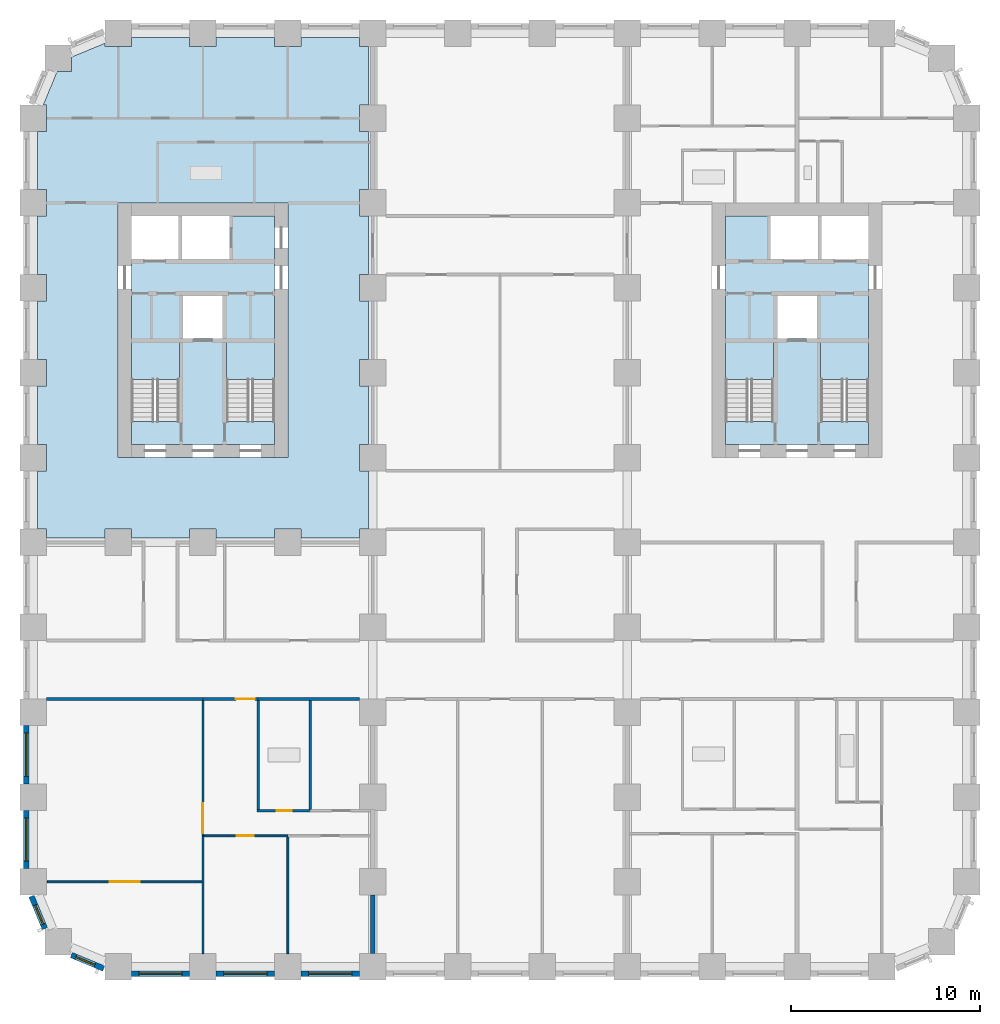
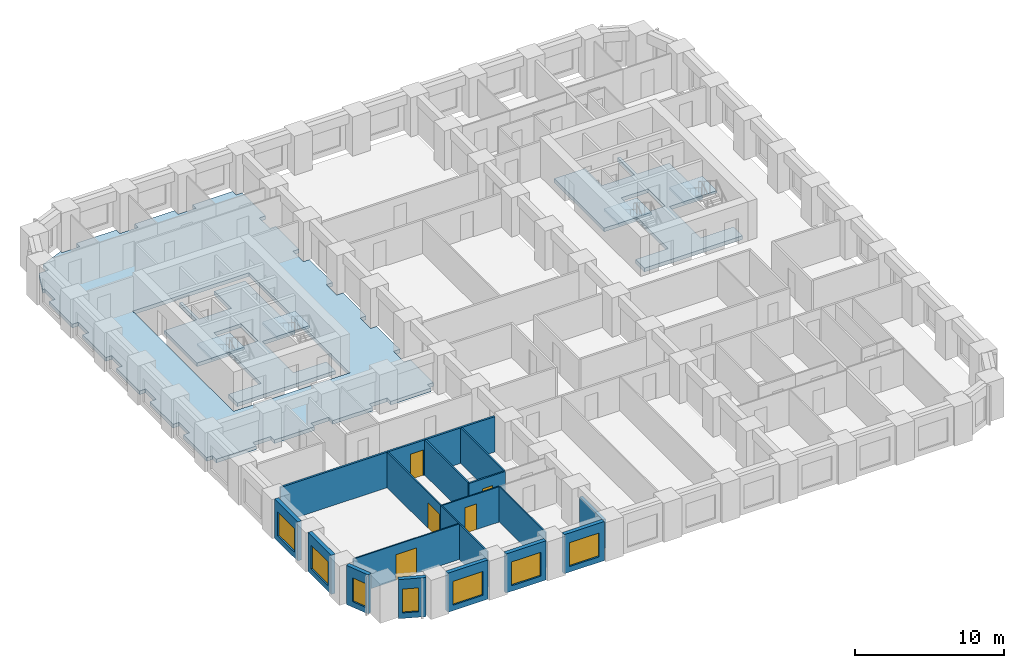
# One storey, part 2 of 12: 19 walls, 7 slabs, 7 windows, 5 doors, 12 openings, 4 elements without a shape of their own.
"""IFC4 building model written with IfcOpenShell, lengths in metres."""

from ifc_helpers import new_model, si_unit, direction, frame, frame_2d, origin, place, context, subcontext, project, spatial, polyline, rectangle, outline, extrude, material, layer, layer_set, type_object, element, fill, aggregate, save


model = new_model("IFC4")

# Units and contexts
model_context = context("Model", 3, precision=1e-05, world=origin(), true_north=direction((0.0, 1.0)))
body_context = subcontext(model_context, "Body", "Model", "MODEL_VIEW")
ifc_project = project(units=[si_unit("LENGTHUNIT", "METRE"), si_unit("AREAUNIT", "SQUARE_METRE"), si_unit("VOLUMEUNIT", "CUBIC_METRE"), si_unit("PLANEANGLEUNIT", "RADIAN"), si_unit("MASSUNIT", "GRAM", prefix="KILO")], contexts=[model_context])

# Site, building, storey
site_placement = place(None, origin())
site = spatial("IfcSite", under=ifc_project, at=site_placement, CompositionType="ELEMENT")
building_placement = place(site_placement, origin())
building = spatial("IfcBuilding", under=site, at=building_placement, Name="Girih Gate Residences", CompositionType="ELEMENT")
storey_placement = place(building_placement, frame((0.0, 0.0, 36.800048828125)))
storey = spatial("IfcBuildingStorey", under=building, at=storey_placement, Name="L08", CompositionType="ELEMENT", Elevation=36.800048828125)

# Slabs
ifc_material_1 = material(Name="Concrete C40/50", Category="concrete")
ifc_layer_1 = layer(ifc_material_1, 0.300048828125)
ifc_layer_set_1 = layer_set([ifc_layer_1], Name="Core floor slab 300")
slab_type_1 = type_object("IfcSlabType", Name="Core floor slab 300", PredefinedType="FLOOR", material=ifc_layer_set_1)
slab_1_placement = place(storey_placement, frame((0.0, 0.0, -0.300048828125)))
element("IfcSlab", 1, at=slab_1_placement, inside=storey, type_object=slab_type_1, Name="L08 W core floor", PredefinedType="FLOOR", context=body_context, shape_type="SweptSolid", body=[
    extrude(outline(polyline([(12.800048828125, 27.699951171875), (5.199951171875, 27.699951171875), (5.199951171875, 28.900634765625), (7.75, 28.900634765625), (7.75, 33.10009765625), (5.199951171875, 33.10009765625), (5.199951171875, 37.5), (7.699951171875, 37.5), (7.699951171875, 39.800048828125), (7.89990234375, 39.800048828125), (7.89990234375, 37.5), (10.39990234375, 37.5), (10.39990234375, 39.800048828125), (12.800048828125, 39.800048828125), (12.800048828125, 33.10009765625), (10.25, 33.10009765625), (10.25, 28.900634765625), (12.800048828125, 28.900634765625), (12.800048828125, 27.699951171875)]), holes=[polyline([(7.949951171875, 33.300048828125), (10.050048828125, 33.300048828125), (10.050048828125, 35.60009765625), (7.949951171875, 35.60009765625), (7.949951171875, 33.300048828125)])]), origin(), (0.0, 0.0, 1.0), 0.300048828125),
])
slab_2_placement = place(storey_placement, frame((0.0, 0.0, -0.300048828125)))
element("IfcSlab", 2, at=slab_2_placement, inside=storey, type_object=slab_type_1, Name="L08 E core floor", PredefinedType="FLOOR", context=body_context, shape_type="SweptSolid", body=[
    extrude(outline(polyline([(44.300048828125, 27.699951171875), (36.699951171875, 27.699951171875), (36.699951171875, 28.900634765625), (39.25, 28.900634765625), (39.25, 33.10009765625), (36.699951171875, 33.10009765625), (36.699951171875, 39.800048828125), (39.10009765625, 39.800048828125), (39.10009765625, 37.5), (41.60009765625, 37.5), (41.60009765625, 39.800048828125), (41.800048828125, 39.800048828125), (41.800048828125, 37.5), (44.300048828125, 37.5), (44.300048828125, 33.10009765625), (41.75, 33.10009765625), (41.75, 28.900634765625), (44.300048828125, 28.900634765625), (44.300048828125, 27.699951171875)]), holes=[polyline([(39.449951171875, 33.300048828125), (41.550048828125, 33.300048828125), (41.550048828125, 35.60009765625), (39.449951171875, 35.60009765625), (39.449951171875, 33.300048828125)])]), origin(), (0.0, 0.0, 1.0), 0.300048828125),
])
ifc_layer_2 = layer(ifc_material_1, 0.300048828125)
ifc_layer_set_2 = layer_set([ifc_layer_2], Name="Floor slab PT 300 Concrete C40/50")
slab_type_2 = type_object("IfcSlabType", Name="Floor slab PT 300 Concrete C40/50", PredefinedType="FLOOR", material=ifc_layer_set_2)
slab_3_placement = place(storey_placement, frame((0.0, 0.0, -0.300048828125)))
element("IfcSlab", 3, at=slab_3_placement, inside=storey, type_object=slab_type_2, Name="Floor slab L08 3", PredefinedType="FLOOR", context=body_context, shape_type="SweptSolid", body=[
    extrude(outline(polyline([(0.22509765625, 26.300048828125), (0.22509765625, 23.199951171875), (0.699951171875, 23.199951171875), (0.699951171875, 22.72509765625), (3.800048828125, 22.72509765625), (3.800048828125, 23.199951171875), (5.199951171875, 23.199951171875), (5.199951171875, 22.72509765625), (8.300048828125, 22.72509765625), (8.300048828125, 23.199951171875), (9.699951171875, 23.199951171875), (9.699951171875, 22.72509765625), (12.800048828125, 22.72509765625), (12.800048828125, 23.199951171875), (14.199951171875, 23.199951171875), (14.199951171875, 22.72509765625), (17.300048828125, 22.72509765625), (17.300048828125, 23.199951171875), (17.77490234375, 23.199951171875), (17.77490234375, 26.300048828125), (17.300048828125, 26.300048828125), (17.300048828125, 27.699951171875), (17.77490234375, 27.699951171875), (17.77490234375, 30.800048828125), (17.300048828125, 30.800048828125), (17.300048828125, 32.199951171875), (17.77490234375, 32.199951171875), (17.77490234375, 35.300048828125), (17.300048828125, 35.300048828125), (17.300048828125, 36.699951171875), (17.77490234375, 36.699951171875), (17.77490234375, 39.800048828125), (17.300048828125, 39.800048828125), (17.300048828125, 41.199951171875), (17.77490234375, 41.199951171875), (17.77490234375, 44.300048828125), (17.300048828125, 44.300048828125), (17.300048828125, 45.699951171875), (17.77490234375, 45.699951171875), (17.77490234375, 48.800048828125), (17.300048828125, 48.800048828125), (17.300048828125, 49.27490234375), (14.199951171875, 49.27490234375), (14.199951171875, 48.800048828125), (12.800048828125, 48.800048828125), (12.800048828125, 49.27490234375), (9.699951171875, 49.27490234375), (9.699951171875, 48.800048828125), (8.300048828125, 48.800048828125), (8.300048828125, 49.27490234375), (5.199951171875, 49.27490234375), (5.199951171875, 48.800048828125), (3.800048828125, 48.800048828125), (3.800048828125, 48.966552734375), (2.01806640625, 48.228271484375), (2.01806640625, 47.48193359375), (1.271728515625, 47.48193359375), (0.533447265625, 45.699951171875), (0.699951171875, 45.699951171875), (0.699951171875, 44.300048828125), (0.22509765625, 44.300048828125), (0.22509765625, 41.199951171875), (0.699951171875, 41.199951171875), (0.699951171875, 39.800048828125), (0.22509765625, 39.800048828125), (0.22509765625, 36.699951171875), (0.699951171875, 36.699951171875), (0.699951171875, 35.300048828125), (0.22509765625, 35.300048828125), (0.22509765625, 32.199951171875), (0.699951171875, 32.199951171875), (0.699951171875, 30.800048828125), (0.22509765625, 30.800048828125), (0.22509765625, 27.699951171875), (0.699951171875, 27.699951171875), (0.699951171875, 26.300048828125), (0.22509765625, 26.300048828125)]), holes=[polyline([(13.5, 40.5), (13.5, 27.0), (4.5, 27.0), (4.5, 40.5), (13.5, 40.5)])]), origin(), (0.0, 0.0, 1.0), 0.300048828125),
])

# Stair, slab
stair_type = type_object("IfcStairType", Name="Exit stair", PredefinedType="HALF_TURN_STAIR", material=ifc_material_1)
stair_1_placement = place(storey_placement, origin())
stair_1 = element("IfcStair", 4, at=stair_1_placement, inside=storey, type_object=stair_type, Name="L08 Exit Stair ST-W1", PredefinedType="HALF_TURN_STAIR")
ifc_layer_3 = layer(ifc_material_1, 0.199951171875)
ifc_layer_set_3 = layer_set([ifc_layer_3], Name="Stair landing 200")
slab_type_3 = type_object("IfcSlabType", Name="Stair landing 200", PredefinedType="LANDING", material=ifc_layer_set_3)
slab_4_placement = place(storey_placement, frame((0.0, 0.0, 1.39990234375)))
slab_4 = element("IfcSlab", 5, at=slab_4_placement, type_object=slab_type_3, Name="ST-W1 landing 1", PredefinedType="LANDING", context=body_context, shape_type="SweptSolid", body=[
    extrude(outline(polyline([(7.75, 31.14990234375), (7.75, 33.10009765625), (5.199951171875, 33.10009765625), (5.199951171875, 31.14990234375), (7.75, 31.14990234375)])), origin(), (0.0, 0.0, 1.0), 0.199951171875),
])
aggregate(stair_1, [slab_4])

stair_2_placement = place(storey_placement, origin())
stair_2 = element("IfcStair", 6, at=stair_2_placement, inside=storey, type_object=stair_type, Name="L08 Exit Stair ST-W2", PredefinedType="HALF_TURN_STAIR")
slab_5_placement = place(storey_placement, frame((0.0, 0.0, 1.39990234375)))
slab_5 = element("IfcSlab", 7, at=slab_5_placement, type_object=slab_type_3, Name="ST-W2 landing 1", PredefinedType="LANDING", context=body_context, shape_type="SweptSolid", body=[
    extrude(outline(polyline([(12.800048828125, 31.14990234375), (12.800048828125, 33.10009765625), (10.25, 33.10009765625), (10.25, 31.14990234375), (12.800048828125, 31.14990234375)])), origin(), (0.0, 0.0, 1.0), 0.199951171875),
])
aggregate(stair_2, [slab_5])

stair_3_placement = place(storey_placement, origin())
stair_3 = element("IfcStair", 8, at=stair_3_placement, inside=storey, type_object=stair_type, Name="L08 Exit Stair ST-E1", PredefinedType="HALF_TURN_STAIR")
slab_6_placement = place(storey_placement, frame((0.0, 0.0, 1.39990234375)))
slab_6 = element("IfcSlab", 9, at=slab_6_placement, type_object=slab_type_3, Name="ST-E1 landing 1", PredefinedType="LANDING", context=body_context, shape_type="SweptSolid", body=[
    extrude(outline(polyline([(44.300048828125, 31.14990234375), (44.300048828125, 33.10009765625), (41.75, 33.10009765625), (41.75, 31.14990234375), (44.300048828125, 31.14990234375)])), origin(), (0.0, 0.0, 1.0), 0.199951171875),
])
aggregate(stair_3, [slab_6])

stair_4_placement = place(storey_placement, origin())
stair_4 = element("IfcStair", 10, at=stair_4_placement, inside=storey, type_object=stair_type, Name="L08 Exit Stair ST-E2", PredefinedType="HALF_TURN_STAIR")
slab_7_placement = place(storey_placement, frame((0.0, 0.0, 1.39990234375)))
slab_7 = element("IfcSlab", 11, at=slab_7_placement, type_object=slab_type_3, Name="ST-E2 landing 1", PredefinedType="LANDING", context=body_context, shape_type="SweptSolid", body=[
    extrude(outline(polyline([(39.25, 31.14990234375), (39.25, 33.10009765625), (36.699951171875, 33.10009765625), (36.699951171875, 31.14990234375), (39.25, 31.14990234375)])), origin(), (0.0, 0.0, 1.0), 0.199951171875),
])
aggregate(stair_4, [slab_7])

# Walls
ifc_material_2 = material(Name="Gypsum board on steel studs", Category="steel")
ifc_layer_4 = layer(ifc_material_2, 0.25)
ifc_layer_set_4 = layer_set([ifc_layer_4], Name="Acoustic separating wall 250 mm")
wall_type_1 = type_object("IfcWallType", Name="Acoustic separating wall 250 mm", PredefinedType="PARTITIONING", material=ifc_layer_set_4)
wall_1_placement = place(storey_placement, frame((18.0, 0.699951171875, 0.0), z_axis=(0.0, 0.0, 1.0), x_axis=(0.0, 1.0, 0.0)))
element("IfcWall", 12, at=wall_1_placement, inside=storey, type_object=wall_type_1, Name="L08 partition", PredefinedType="PARTITIONING", context=body_context, shape_type="SweptSolid", body=[
    extrude(rectangle(XDim=3.10009765625, YDim=0.25, at=frame_2d((1.550048828125, 0.0))), origin(), (0.0, 0.0, 1.0), 2.3798828125),
])
ifc_layer_5 = layer(ifc_material_2, 0.14990234375)
ifc_layer_set_5 = layer_set([ifc_layer_5], Name="Compartment wall 150 mm")
wall_type_2 = type_object("IfcWallType", Name="Compartment wall 150 mm", PredefinedType="PARTITIONING", material=ifc_layer_set_5)
wall_2_placement = place(storey_placement, frame((11.925048828125, 14.199951171875, 0.0), z_axis=(0.0, 0.0, 1.0), x_axis=(1.0, 0.0, 0.0)))
element("IfcWall", 13, at=wall_2_placement, inside=storey, type_object=wall_type_2, Name="L08 partition", PredefinedType="PARTITIONING", context=body_context, shape_type="SweptSolid", body=[
    extrude(rectangle(XDim=5.375, YDim=0.14990234375, at=frame_2d((2.6875, 0.0))), origin(), (0.0, 0.0, 1.0), 2.89990234375),
])
wall_3_placement = place(storey_placement, frame((0.699951171875, 14.199951171875, 0.0), z_axis=(0.0, 0.0, 1.0), x_axis=(1.0, 0.0, 0.0)))
element("IfcWall", 14, at=wall_3_placement, inside=storey, type_object=wall_type_2, Name="L08 partition", PredefinedType="PARTITIONING", context=body_context, shape_type="SweptSolid", body=[
    extrude(rectangle(XDim=8.300048828125, YDim=0.14990234375, at=frame_2d((4.14990234375, 0.0))), origin(), (0.0, 0.0, 1.0), 2.89990234375),
])

# Wall, opening, door
wall_4_placement = place(storey_placement, frame((11.925048828125, 14.199951171875, 0.0), z_axis=(0.0, 0.0, 1.0), x_axis=(-1.0, 0.0, 0.0)))
wall_4 = element("IfcWall", 15, at=wall_4_placement, inside=storey, type_object=wall_type_2, Name="L08 partition", PredefinedType="PARTITIONING", context=body_context, shape_type="SweptSolid", body=[
    extrude(rectangle(XDim=2.925048828125, YDim=0.14990234375, at=frame_2d((1.46240234375, 0.0))), origin(), (0.0, 0.0, 1.0), 2.89990234375),
])
opening_1_placement = place(wall_4_placement, frame((0.175048828125, 0.0, 0.0)))
opening_1 = element("IfcOpeningElement", 16, at=opening_1_placement, cuts=wall_4, Name="Opening A08-007", PredefinedType="OPENING", context=body_context, shape_type="SweptSolid", body=[
    extrude(rectangle(XDim=1.0, YDim=2.10009765625, at=frame_2d((0.5, 1.050048828125))), frame((0.0, 0.0849609375, 0.0), z_axis=(0.0, -1.0, 0.0), x_axis=(1.0, 0.0, 0.0)), (0.0, 0.0, 1.0), 0.169921875),
])
ifc_material_3 = material(Name="Timber, fire-rated core", Category="wood")
door_type_1 = type_object("IfcDoorType", Name="Flat entrance door 1000x2100 FD30S", OperationType="NOTDEFINED", PredefinedType="DOOR", material=ifc_material_3)
door_1_placement = place(opening_1_placement, origin())
door_1 = element("IfcDoor", 17, at=door_1_placement, inside=storey, type_object=door_type_1, Name="Door A08-007", OperationType="SINGLE_SWING_LEFT", OverallHeight=2.10009765625, OverallWidth=1.0, PredefinedType="DOOR", context=body_context, shape_type="SweptSolid", body=[
    extrude(rectangle(XDim=1.0, YDim=2.10009765625, at=frame_2d((0.5, 1.050048828125))), frame((0.0, 0.02490234375, 0.0), z_axis=(0.0, -1.0, 0.0), x_axis=(1.0, 0.0, 0.0)), (0.0, 0.0, 1.0), 0.050048828125),
])
fill(opening_1, door_1)

# Wall
ifc_layer_6 = layer(ifc_material_2, 0.10009765625)
ifc_layer_set_6 = layer_set([ifc_layer_6], Name="Partition 100 mm")
wall_type_3 = type_object("IfcWallType", Name="Partition 100 mm", PredefinedType="PARTITIONING", material=ifc_layer_set_6)
wall_5_placement = place(storey_placement, frame((13.5, 0.699951171875, 0.0), z_axis=(0.0, 0.0, 1.0), x_axis=(0.0, 1.0, 0.0)))
element("IfcWall", 18, at=wall_5_placement, inside=storey, type_object=wall_type_3, Name="L08 partition", PredefinedType="PARTITIONING", context=body_context, shape_type="SweptSolid", body=[
    extrude(rectangle(XDim=6.18994140625, YDim=0.10009765625, at=frame_2d((3.094970703125, 0.0))), origin(), (0.0, 0.0, 1.0), 2.89990234375),
])

# Wall, opening, door
wall_6_placement = place(storey_placement, frame((13.5, 6.93994140625, 0.0), z_axis=(0.0, 0.0, 1.0), x_axis=(-1.0, 0.0, 0.0)))
wall_6 = element("IfcWall", 19, at=wall_6_placement, inside=storey, type_object=wall_type_3, Name="L08 partition", PredefinedType="PARTITIONING", context=body_context, shape_type="SweptSolid", body=[
    extrude(rectangle(XDim=4.449951171875, YDim=0.10009765625, at=frame_2d((2.22509765625, 0.0))), origin(), (0.0, 0.0, 1.0), 2.89990234375),
])
opening_2_placement = place(wall_6_placement, frame((1.800048828125, 0.0, 0.0)))
opening_2 = element("IfcOpeningElement", 20, at=opening_2_placement, cuts=wall_6, Name="Opening A08-002", PredefinedType="OPENING", context=body_context, shape_type="SweptSolid", body=[
    extrude(rectangle(XDim=0.89990234375, YDim=2.10009765625, at=frame_2d((0.449951171875, 1.050048828125))), frame((0.0, 0.06005859375, 0.0), z_axis=(0.0, -1.0, 0.0), x_axis=(1.0, 0.0, 0.0)), (0.0, 0.0, 1.0), 0.1201171875),
])
ifc_material_4 = material(Name="Timber", Category="wood")
door_type_2 = type_object("IfcDoorType", Name="Bedroom door 900x2100", OperationType="NOTDEFINED", PredefinedType="DOOR", material=ifc_material_4)
door_2_placement = place(opening_2_placement, origin())
door_2 = element("IfcDoor", 21, at=door_2_placement, inside=storey, type_object=door_type_2, Name="Door A08-002", OperationType="SINGLE_SWING_RIGHT", OverallHeight=2.10009765625, OverallWidth=0.89990234375, PredefinedType="DOOR", context=body_context, shape_type="SweptSolid", body=[
    extrude(rectangle(XDim=0.89990234375, YDim=2.10009765625, at=frame_2d((0.449951171875, 1.050048828125))), frame((0.0, 0.02490234375, 0.0), z_axis=(0.0, -1.0, 0.0), x_axis=(1.0, 0.0, 0.0)), (0.0, 0.0, 1.0), 0.050048828125),
])
fill(opening_2, door_2)

# Wall
wall_7_placement = place(storey_placement, frame((9.0, 0.699951171875, 0.0), z_axis=(0.0, 0.0, 1.0), x_axis=(0.0, 1.0, 0.0)))
element("IfcWall", 22, at=wall_7_placement, inside=storey, type_object=wall_type_3, Name="L08 partition", PredefinedType="PARTITIONING", context=body_context, shape_type="SweptSolid", body=[
    extrude(rectangle(XDim=6.239990234375, YDim=0.10009765625, at=frame_2d((3.1201171875, 0.0))), origin(), (0.0, 0.0, 1.0), 2.89990234375),
])

# Wall, opening, door
wall_8_placement = place(storey_placement, frame((9.0, 6.93994140625, 0.0), z_axis=(0.0, 0.0, 1.0), x_axis=(0.0, 1.0, 0.0)))
wall_8 = element("IfcWall", 23, at=wall_8_placement, inside=storey, type_object=wall_type_3, Name="L08 partition", PredefinedType="PARTITIONING", context=body_context, shape_type="SweptSolid", body=[
    extrude(rectangle(XDim=7.18505859375, YDim=0.10009765625, at=frame_2d((3.592529296875, 0.0))), origin(), (0.0, 0.0, 1.0), 2.89990234375),
])
opening_3_placement = place(wall_8_placement, frame((0.1298828125, 0.0, 0.0)))
opening_3 = element("IfcOpeningElement", 24, at=opening_3_placement, cuts=wall_8, Name="Opening A08-004", PredefinedType="OPENING", context=body_context, shape_type="SweptSolid", body=[
    extrude(rectangle(XDim=1.60009765625, YDim=2.10009765625, at=frame_2d((0.800048828125, 1.050048828125))), frame((0.0, 0.06005859375, 0.0), z_axis=(0.0, -1.0, 0.0), x_axis=(1.0, 0.0, 0.0)), (0.0, 0.0, 1.0), 0.1201171875),
])
door_type_3 = type_object("IfcDoorType", Name="Double leaf door 1600x2100", OperationType="NOTDEFINED", PredefinedType="DOOR", material=ifc_material_4)
door_3_placement = place(opening_3_placement, origin())
door_3 = element("IfcDoor", 25, at=door_3_placement, inside=storey, type_object=door_type_3, Name="Door A08-004", OperationType="SINGLE_SWING_LEFT", OverallHeight=2.10009765625, OverallWidth=1.60009765625, PredefinedType="DOOR", context=body_context, shape_type="SweptSolid", body=[
    extrude(rectangle(XDim=1.60009765625, YDim=2.10009765625, at=frame_2d((0.800048828125, 1.050048828125))), frame((0.0, 0.02490234375, 0.0), z_axis=(0.0, -1.0, 0.0), x_axis=(1.0, 0.0, 0.0)), (0.0, 0.0, 1.0), 0.050048828125),
])
fill(opening_3, door_3)

wall_9_placement = place(storey_placement, frame((0.757568359375, 4.5, 0.0), z_axis=(0.0, 0.0, 1.0), x_axis=(1.0, 0.0, 0.0)))
wall_9 = element("IfcWall", 26, at=wall_9_placement, inside=storey, type_object=wall_type_3, Name="L08 partition", PredefinedType="PARTITIONING", context=body_context, shape_type="SweptSolid", body=[
    extrude(rectangle(XDim=8.1923828125, YDim=0.10009765625, at=frame_2d((4.09619140625, 0.0))), origin(), (0.0, 0.0, 1.0), 2.89990234375),
])
opening_4_placement = place(wall_9_placement, frame((3.292236328125, 0.0, 0.0)))
opening_4 = element("IfcOpeningElement", 27, at=opening_4_placement, cuts=wall_9, Name="Opening A08-005", PredefinedType="OPENING", context=body_context, shape_type="SweptSolid", body=[
    extrude(rectangle(XDim=1.60009765625, YDim=2.10009765625, at=frame_2d((0.800048828125, 1.050048828125))), frame((0.0, 0.06005859375, 0.0), z_axis=(0.0, -1.0, 0.0), x_axis=(1.0, 0.0, 0.0)), (0.0, 0.0, 1.0), 0.1201171875),
])
door_4_placement = place(opening_4_placement, origin())
door_4 = element("IfcDoor", 28, at=door_4_placement, inside=storey, type_object=door_type_3, Name="Door A08-005", OperationType="SINGLE_SWING_LEFT", OverallHeight=2.10009765625, OverallWidth=1.60009765625, PredefinedType="DOOR", context=body_context, shape_type="SweptSolid", body=[
    extrude(rectangle(XDim=1.60009765625, YDim=2.10009765625, at=frame_2d((0.800048828125, 1.050048828125))), frame((0.0, 0.02490234375, 0.0), z_axis=(0.0, -1.0, 0.0), x_axis=(1.0, 0.0, 0.0)), (0.0, 0.0, 1.0), 0.050048828125),
])
fill(opening_4, door_4)

# Wall, opening, window
ifc_material_5 = material(Name="Precast concrete C50/60", Category="concrete")
ifc_layer_7 = layer(ifc_material_5, 0.080078125, Name="Outer leaf")
ifc_material_6 = material(Name="Rigid PIR insulation")
ifc_layer_8 = layer(ifc_material_6, 0.14990234375, Name="Insulation")
ifc_material_7 = material(Name="Precast concrete C40/50", Category="concrete")
ifc_layer_9 = layer(ifc_material_7, 0.070068359375, Name="Inner leaf")
ifc_layer_set_7 = layer_set([ifc_layer_7, ifc_layer_8, ifc_layer_9], Name="Precast concrete C50/60 external wall 300")
wall_type_4 = type_object("IfcWallType", Name="Precast concrete C50/60 external wall 300", PredefinedType="SOLIDWALL", material=ifc_layer_set_7)
wall_10_placement = place(storey_placement, frame((0.62158203125, 2.01953125, 0.0), z_axis=(0.0, 0.0, 1.0), x_axis=(-0.38262540684, 0.923903565336, 0.0)))
wall_10 = element("IfcWall", 29, at=wall_10_placement, inside=storey, type_object=wall_type_4, Name="External wall SW0000_0045.0", PredefinedType="SOLIDWALL", context=body_context, shape_type="SweptSolid", body=[
    extrude(rectangle(XDim=1.864990234375, YDim=0.300048828125, at=frame_2d((0.9326171875, 0.0))), origin(), (0.0, 0.0, 1.0), 3.199951171875),
])
opening_5_placement = place(wall_10_placement, frame((0.257568359375, 0.0, 0.449951171875)))
opening_5 = element("IfcOpeningElement", 30, at=opening_5_placement, cuts=wall_10, Name="Opening W-2C", PredefinedType="OPENING", context=body_context, shape_type="SweptSolid", body=[
    extrude(rectangle(XDim=1.10009765625, YDim=1.949951171875, at=frame_2d((0.550048828125, 0.97509765625))), frame((0.0, 0.159912109375, 0.0), z_axis=(0.0, -1.0, 0.0), x_axis=(1.0, 0.0, 0.0)), (0.0, 0.0, 1.0), 0.320068359375),
])
ifc_material_8 = material(Name="Double glazing in aluminium frame", Category="aluminium")
window_type_1 = type_object("IfcWindowType", Name="Window W-2C 1100x1950", PartitioningType="SINGLE_PANEL", PredefinedType="WINDOW", material=ifc_material_8)
window_1_placement = place(opening_5_placement, origin())
window_1 = element("IfcWindow", 31, at=window_1_placement, inside=storey, type_object=window_type_1, Name="Window W-2C SW0000_0045.0", OverallHeight=1.949951171875, OverallWidth=1.10009765625, PartitioningType="SINGLE_PANEL", PredefinedType="WINDOW", context=body_context, shape_type="SweptSolid", body=[
    extrude(rectangle(XDim=1.10009765625, YDim=1.949951171875, at=frame_2d((0.550048828125, 0.97509765625))), frame((0.0, 0.030029296875, 0.0), z_axis=(0.0, -1.0, 0.0), x_axis=(1.0, 0.0, 0.0)), (0.0, 0.0, 1.0), 0.06005859375),
])
fill(opening_5, window_1)

wall_11_placement = place(storey_placement, frame((3.74267578125, -0.09228515625, 0.0), z_axis=(0.0, 0.0, 1.0), x_axis=(-0.923857286003, 0.382737135771, 0.0)))
wall_11 = element("IfcWall", 32, at=wall_11_placement, inside=storey, type_object=wall_type_4, Name="External wall SW0013_0013.0", PredefinedType="SOLIDWALL", context=body_context, shape_type="SweptSolid", body=[
    extrude(rectangle(XDim=1.865234375, YDim=0.300048828125, at=frame_2d((0.9326171875, 0.0))), origin(), (0.0, 0.0, 1.0), 3.199951171875),
])
opening_6_placement = place(wall_11_placement, frame((0.507568359375, 0.0, 0.449951171875)))
opening_6 = element("IfcOpeningElement", 33, at=opening_6_placement, cuts=wall_11, Name="Opening W-2C", PredefinedType="OPENING", context=body_context, shape_type="SweptSolid", body=[
    extrude(rectangle(XDim=1.10009765625, YDim=1.949951171875, at=frame_2d((0.550048828125, 0.97509765625))), frame((0.0, 0.159912109375, 0.0), z_axis=(0.0, -1.0, 0.0), x_axis=(1.0, 0.0, 0.0)), (0.0, 0.0, 1.0), 0.320068359375),
])
window_2_placement = place(opening_6_placement, origin())
window_2 = element("IfcWindow", 34, at=window_2_placement, inside=storey, type_object=window_type_1, Name="Window W-2C SW0013_0013.0", OverallHeight=1.949951171875, OverallWidth=1.10009765625, PartitioningType="SINGLE_PANEL", PredefinedType="WINDOW", context=body_context, shape_type="SweptSolid", body=[
    extrude(rectangle(XDim=1.10009765625, YDim=1.949951171875, at=frame_2d((0.550048828125, 0.97509765625))), frame((0.0, 0.030029296875, 0.0), z_axis=(0.0, -1.0, 0.0), x_axis=(1.0, 0.0, 0.0)), (0.0, 0.0, 1.0), 0.06005859375),
])
fill(opening_6, window_2)

wall_12_placement = place(storey_placement, frame((8.300048828125, -0.375, 0.0), z_axis=(0.0, 0.0, 1.0), x_axis=(-1.0, 0.0, 0.0)))
wall_12 = element("IfcWall", 35, at=wall_12_placement, inside=storey, type_object=wall_type_4, Name="External wall S0045_0000.0", PredefinedType="SOLIDWALL", context=body_context, shape_type="SweptSolid", body=[
    extrude(rectangle(XDim=3.10009765625, YDim=0.300048828125, at=frame_2d((1.550048828125, 0.0))), origin(), (0.0, 0.0, 1.0), 3.199951171875),
])
opening_7_placement = place(wall_12_placement, frame((0.39990234375, 0.0, 0.449951171875)))
opening_7 = element("IfcOpeningElement", 36, at=opening_7_placement, cuts=wall_12, Name="Opening W-1", PredefinedType="OPENING", context=body_context, shape_type="SweptSolid", body=[
    extrude(rectangle(XDim=2.300048828125, YDim=1.949951171875, at=frame_2d((1.14990234375, 0.97509765625))), frame((0.0, 0.159912109375, 0.0), z_axis=(0.0, -1.0, 0.0), x_axis=(1.0, 0.0, 0.0)), (0.0, 0.0, 1.0), 0.320068359375),
])
window_type_2 = type_object("IfcWindowType", Name="Window W-1 2300x1950", PartitioningType="SINGLE_PANEL", PredefinedType="WINDOW", material=ifc_material_8)
window_3_placement = place(opening_7_placement, origin())
window_3 = element("IfcWindow", 37, at=window_3_placement, inside=storey, type_object=window_type_2, Name="Window W-1 S0045_0000.0", OverallHeight=1.949951171875, OverallWidth=2.300048828125, PartitioningType="SINGLE_PANEL", PredefinedType="WINDOW", context=body_context, shape_type="SweptSolid", body=[
    extrude(rectangle(XDim=2.300048828125, YDim=1.949951171875, at=frame_2d((1.14990234375, 0.97509765625))), frame((0.0, 0.030029296875, 0.0), z_axis=(0.0, -1.0, 0.0), x_axis=(1.0, 0.0, 0.0)), (0.0, 0.0, 1.0), 0.06005859375),
])
fill(opening_7, window_3)

wall_13_placement = place(storey_placement, frame((12.800048828125, -0.375, 0.0), z_axis=(0.0, 0.0, 1.0), x_axis=(-1.0, 0.0, 0.0)))
wall_13 = element("IfcWall", 38, at=wall_13_placement, inside=storey, type_object=wall_type_4, Name="External wall S0045_0000.1", PredefinedType="SOLIDWALL", context=body_context, shape_type="SweptSolid", body=[
    extrude(rectangle(XDim=3.10009765625, YDim=0.300048828125, at=frame_2d((1.550048828125, 0.0))), origin(), (0.0, 0.0, 1.0), 3.199951171875),
])
opening_8_placement = place(wall_13_placement, frame((0.39990234375, 0.0, 0.449951171875)))
opening_8 = element("IfcOpeningElement", 39, at=opening_8_placement, cuts=wall_13, Name="Opening W-1", PredefinedType="OPENING", context=body_context, shape_type="SweptSolid", body=[
    extrude(rectangle(XDim=2.300048828125, YDim=1.949951171875, at=frame_2d((1.14990234375, 0.97509765625))), frame((0.0, 0.159912109375, 0.0), z_axis=(0.0, -1.0, 0.0), x_axis=(1.0, 0.0, 0.0)), (0.0, 0.0, 1.0), 0.320068359375),
])
window_4_placement = place(opening_8_placement, origin())
window_4 = element("IfcWindow", 40, at=window_4_placement, inside=storey, type_object=window_type_2, Name="Window W-1 S0045_0000.1", OverallHeight=1.949951171875, OverallWidth=2.300048828125, PartitioningType="SINGLE_PANEL", PredefinedType="WINDOW", context=body_context, shape_type="SweptSolid", body=[
    extrude(rectangle(XDim=2.300048828125, YDim=1.949951171875, at=frame_2d((1.14990234375, 0.97509765625))), frame((0.0, 0.030029296875, 0.0), z_axis=(0.0, -1.0, 0.0), x_axis=(1.0, 0.0, 0.0)), (0.0, 0.0, 1.0), 0.06005859375),
])
fill(opening_8, window_4)

wall_14_placement = place(storey_placement, frame((17.300048828125, -0.375, 0.0), z_axis=(0.0, 0.0, 1.0), x_axis=(-1.0, 0.0, 0.0)))
wall_14 = element("IfcWall", 41, at=wall_14_placement, inside=storey, type_object=wall_type_4, Name="External wall S0045_0000.2", PredefinedType="SOLIDWALL", context=body_context, shape_type="SweptSolid", body=[
    extrude(rectangle(XDim=3.10009765625, YDim=0.300048828125, at=frame_2d((1.550048828125, 0.0))), origin(), (0.0, 0.0, 1.0), 3.199951171875),
])
opening_9_placement = place(wall_14_placement, frame((0.39990234375, 0.0, 0.449951171875)))
opening_9 = element("IfcOpeningElement", 42, at=opening_9_placement, cuts=wall_14, Name="Opening W-1", PredefinedType="OPENING", context=body_context, shape_type="SweptSolid", body=[
    extrude(rectangle(XDim=2.300048828125, YDim=1.949951171875, at=frame_2d((1.14990234375, 0.97509765625))), frame((0.0, 0.159912109375, 0.0), z_axis=(0.0, -1.0, 0.0), x_axis=(1.0, 0.0, 0.0)), (0.0, 0.0, 1.0), 0.320068359375),
])
window_5_placement = place(opening_9_placement, origin())
window_5 = element("IfcWindow", 43, at=window_5_placement, inside=storey, type_object=window_type_2, Name="Window W-1 S0045_0000.2", OverallHeight=1.949951171875, OverallWidth=2.300048828125, PartitioningType="SINGLE_PANEL", PredefinedType="WINDOW", context=body_context, shape_type="SweptSolid", body=[
    extrude(rectangle(XDim=2.300048828125, YDim=1.949951171875, at=frame_2d((1.14990234375, 0.97509765625))), frame((0.0, 0.030029296875, 0.0), z_axis=(0.0, -1.0, 0.0), x_axis=(1.0, 0.0, 0.0)), (0.0, 0.0, 1.0), 0.06005859375),
])
fill(opening_9, window_5)

wall_15_placement = place(storey_placement, frame((-0.375, 9.699951171875, 0.0), z_axis=(0.0, 0.0, 1.0), x_axis=(0.0, 1.0, 0.0)))
wall_15 = element("IfcWall", 44, at=wall_15_placement, inside=storey, type_object=wall_type_4, Name="External wall W0000_0450.7", PredefinedType="SOLIDWALL", context=body_context, shape_type="SweptSolid", body=[
    extrude(rectangle(XDim=3.10009765625, YDim=0.300048828125, at=frame_2d((1.550048828125, 0.0))), origin(), (0.0, 0.0, 1.0), 3.199951171875),
])
opening_10_placement = place(wall_15_placement, frame((0.39990234375, 0.0, 0.449951171875)))
opening_10 = element("IfcOpeningElement", 45, at=opening_10_placement, cuts=wall_15, Name="Opening W-1", PredefinedType="OPENING", context=body_context, shape_type="SweptSolid", body=[
    extrude(rectangle(XDim=2.300048828125, YDim=1.949951171875, at=frame_2d((1.14990234375, 0.97509765625))), frame((0.0, 0.159912109375, 0.0), z_axis=(0.0, -1.0, 0.0), x_axis=(1.0, 0.0, 0.0)), (0.0, 0.0, 1.0), 0.320068359375),
])
window_6_placement = place(opening_10_placement, origin())
window_6 = element("IfcWindow", 46, at=window_6_placement, inside=storey, type_object=window_type_2, Name="Window W-1 W0000_0450.7", OverallHeight=1.949951171875, OverallWidth=2.300048828125, PartitioningType="SINGLE_PANEL", PredefinedType="WINDOW", context=body_context, shape_type="SweptSolid", body=[
    extrude(rectangle(XDim=2.300048828125, YDim=1.949951171875, at=frame_2d((1.14990234375, 0.97509765625))), frame((0.0, 0.030029296875, 0.0), z_axis=(0.0, -1.0, 0.0), x_axis=(1.0, 0.0, 0.0)), (0.0, 0.0, 1.0), 0.06005859375),
])
fill(opening_10, window_6)

wall_16_placement = place(storey_placement, frame((-0.375, 5.199951171875, 0.0), z_axis=(0.0, 0.0, 1.0), x_axis=(0.0, 1.0, 0.0)))
wall_16 = element("IfcWall", 47, at=wall_16_placement, inside=storey, type_object=wall_type_4, Name="External wall W0000_0450.8", PredefinedType="SOLIDWALL", context=body_context, shape_type="SweptSolid", body=[
    extrude(rectangle(XDim=3.10009765625, YDim=0.300048828125, at=frame_2d((1.550048828125, 0.0))), origin(), (0.0, 0.0, 1.0), 3.199951171875),
])
opening_11_placement = place(wall_16_placement, frame((0.39990234375, 0.0, 0.449951171875)))
opening_11 = element("IfcOpeningElement", 48, at=opening_11_placement, cuts=wall_16, Name="Opening W-1", PredefinedType="OPENING", context=body_context, shape_type="SweptSolid", body=[
    extrude(rectangle(XDim=2.300048828125, YDim=1.949951171875, at=frame_2d((1.14990234375, 0.97509765625))), frame((0.0, 0.159912109375, 0.0), z_axis=(0.0, -1.0, 0.0), x_axis=(1.0, 0.0, 0.0)), (0.0, 0.0, 1.0), 0.320068359375),
])
window_7_placement = place(opening_11_placement, origin())
window_7 = element("IfcWindow", 49, at=window_7_placement, inside=storey, type_object=window_type_2, Name="Window W-1 W0000_0450.8", OverallHeight=1.949951171875, OverallWidth=2.300048828125, PartitioningType="SINGLE_PANEL", PredefinedType="WINDOW", context=body_context, shape_type="SweptSolid", body=[
    extrude(rectangle(XDim=2.300048828125, YDim=1.949951171875, at=frame_2d((1.14990234375, 0.97509765625))), frame((0.0, 0.030029296875, 0.0), z_axis=(0.0, -1.0, 0.0), x_axis=(1.0, 0.0, 0.0)), (0.0, 0.0, 1.0), 0.06005859375),
])
fill(opening_11, window_7)

# Wall, opening, door
ifc_layer_10 = layer(ifc_material_2, 0.125)
ifc_layer_set_8 = layer_set([ifc_layer_10], Name="Wet room wall 125 mm")
wall_type_5 = type_object("IfcWallType", Name="Wet room wall 125 mm", PredefinedType="PARTITIONING", material=ifc_layer_set_8)
wall_17_placement = place(storey_placement, frame((11.862548828125, 8.280029296875, 0.0), z_axis=(0.0, 0.0, 1.0), x_axis=(1.0, 0.0, 0.0)))
wall_17 = element("IfcWall", 50, at=wall_17_placement, inside=storey, type_object=wall_type_5, Name="L08 partition", PredefinedType="PARTITIONING", context=body_context, shape_type="SweptSolid", body=[
    extrude(rectangle(XDim=2.827880859375, YDim=0.125, at=frame_2d((1.4140625, 0.0))), origin(), (0.0, 0.0, 1.0), 2.89990234375),
])
opening_12_placement = place(wall_17_placement, frame((1.04541015625, 0.0, 0.0)))
opening_12 = element("IfcOpeningElement", 51, at=opening_12_placement, cuts=wall_17, Name="Opening A08-001", PredefinedType="OPENING", context=body_context, shape_type="SweptSolid", body=[
    extrude(rectangle(XDim=0.800048828125, YDim=2.10009765625, at=frame_2d((0.39990234375, 1.050048828125))), frame((0.0, 0.072509765625, 0.0), z_axis=(0.0, -1.0, 0.0), x_axis=(1.0, 0.0, 0.0)), (0.0, 0.0, 1.0), 0.14501953125),
])
door_type_4 = type_object("IfcDoorType", Name="Bathroom door 800x2100", OperationType="NOTDEFINED", PredefinedType="DOOR", material=ifc_material_4)
door_5_placement = place(opening_12_placement, origin())
door_5 = element("IfcDoor", 52, at=door_5_placement, inside=storey, type_object=door_type_4, Name="Door A08-001", OperationType="SINGLE_SWING_RIGHT", OverallHeight=2.10009765625, OverallWidth=0.800048828125, PredefinedType="DOOR", context=body_context, shape_type="SweptSolid", body=[
    extrude(rectangle(XDim=0.800048828125, YDim=2.10009765625, at=frame_2d((0.39990234375, 1.050048828125))), frame((0.0, 0.02490234375, 0.0), z_axis=(0.0, -1.0, 0.0), x_axis=(1.0, 0.0, 0.0)), (0.0, 0.0, 1.0), 0.050048828125),
])
fill(opening_12, door_5)

# Walls
for number, where, z_axis, x_axis, name in (
    (53, (11.925048828125, 8.342529296875, 0.0), (0.0, 0.0, 1.0), (0.0, 1.0, 0.0), "L08 partition"),
    (54, (14.69091796875, 8.342529296875, 0.0), (0.0, 0.0, 1.0), (0.0, 1.0, 0.0), "L08 partition"),
):
    element("IfcWall", number, at=place(storey_placement, frame(where, z_axis=z_axis, x_axis=x_axis)), inside=storey, type_object=wall_type_5, Name=name, PredefinedType="PARTITIONING", context=body_context, shape_type="SweptSolid", body=[
        extrude(rectangle(XDim=5.782470703125, YDim=0.125, at=frame_2d((2.89111328125, 0.0))), origin(), (0.0, 0.0, 1.0), 2.89990234375),
    ])

save(model, "model.ifc")
